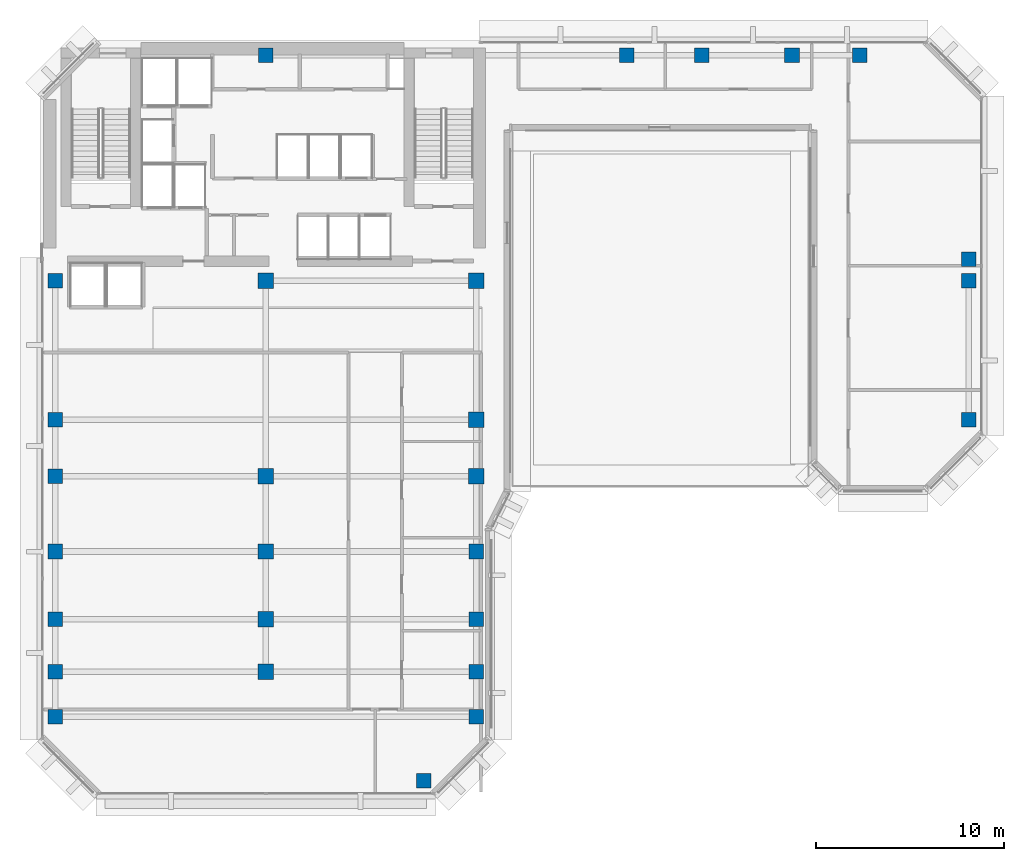
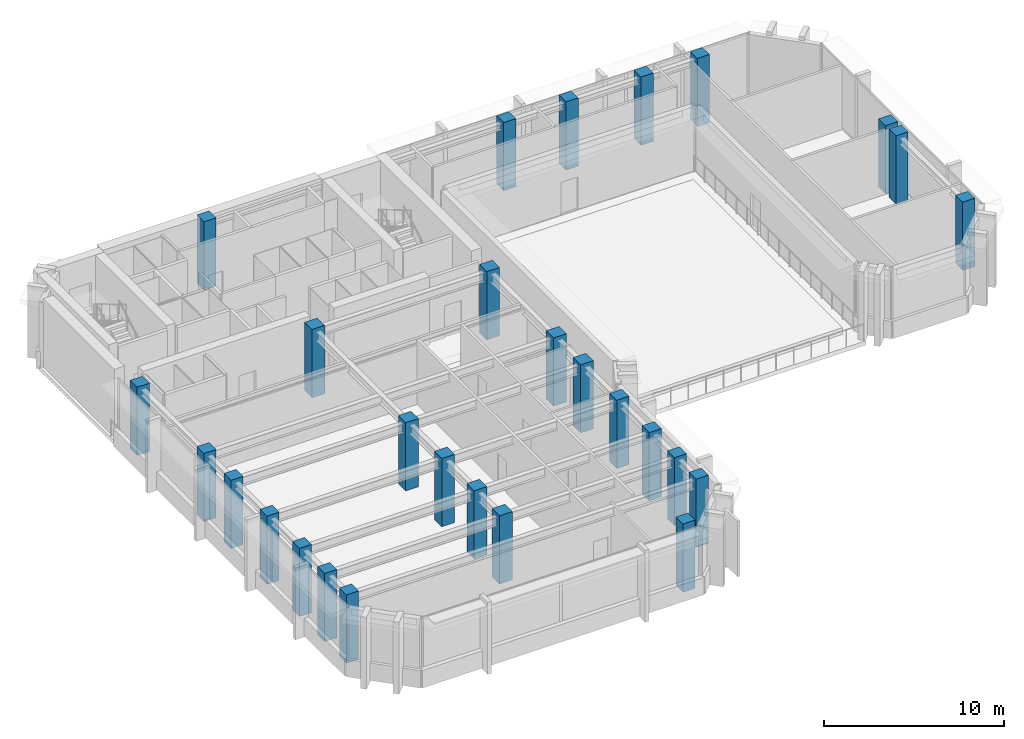
# One storey, part 1 of 12: 28 columns.
"""IFC4 building model written with IfcOpenShell, lengths in metres."""

import ifcopenshell
import ifcopenshell.guid

model = None  # the IFC model being written
_history = None  # IfcOwnerHistory: only IFC2X3 demands one
_inside = {}  # id of a spatial element -> (the spatial element, [elements in it])
_under = {}  # id of a project, library or spatial element -> (it, [spatial elements below it])
_declared = {}  # id of a project -> (the project, [libraries it declares])
_typed = {}  # id of a type object -> (the type object, [elements of that type])
_made_of = {}  # id of a material, layer set ... -> (it, [elements and type objects made of it])


def new_model(schema):
    """Start an empty IFC model of exactly this schema.

    Asked for "IFC4X3", IfcOpenShell would pick the latest addendum, in which some entities
    have other attributes; the version numbers below select the first issue.
    IFC2X3 requires an IfcOwnerHistory on every rooted entity: one is made here for all.
    """
    global model, _history
    if schema == "IFC4X3":
        model = ifcopenshell.file(schema_version=(4, 3, 0, 0))
    else:
        model = ifcopenshell.file(schema=schema)
    _inside.clear()
    _under.clear()
    _declared.clear()
    _typed.clear()
    _made_of.clear()
    _history = None
    if model.schema == "IFC2X3":
        org = make("IfcOrganization", Name="unknown")
        user = make(
            "IfcPersonAndOrganization",
            ThePerson=make("IfcPerson", FamilyName="unknown"),
            TheOrganization=org,
        )
        app = make(
            "IfcApplication",
            ApplicationDeveloper=org,
            Version="unknown",
            ApplicationFullName="unknown",
            ApplicationIdentifier="unknown",
        )
        _history = make(
            "IfcOwnerHistory",
            OwningUser=user,
            OwningApplication=app,
            ChangeAction="ADDED",
            CreationDate=0,
        )
    return model


def make(cls, **values):
    """One entity of the class cls with the attributes given. An attribute that is None is left unset."""
    return model.create_entity(
        cls, **{name: value for name, value in values.items() if value is not None}
    )


def rooted(cls, **values):
    """An entity with a GlobalId (a new one), such as an element, a storey or a relation."""
    return make(cls, GlobalId=ifcopenshell.guid.new(), OwnerHistory=_history, **values)


def si_unit(unit_type, name, prefix=None):
    """IfcSIUnit, for example si_unit("LENGTHUNIT", "METRE", prefix="MILLI")."""
    return make("IfcSIUnit", UnitType=unit_type, Prefix=prefix, Name=name)


def assignment(units):
    """IfcUnitAssignment: the units of a project."""
    return None if units is None else make("IfcUnitAssignment", Units=units)


def point(xyz):
    """IfcCartesianPoint."""
    return None if xyz is None else make("IfcCartesianPoint", Coordinates=xyz)


def direction(xyz):
    """IfcDirection."""
    return None if xyz is None else make("IfcDirection", DirectionRatios=xyz)


def frame(location, z_axis=None, x_axis=None):
    """IfcAxis2Placement3D, a coordinate frame: its origin and axes. An axis left out is left unset."""
    return make(
        "IfcAxis2Placement3D",
        Location=point(location),
        Axis=direction(z_axis),
        RefDirection=direction(x_axis),
    )


def frame_2d(location, x_axis=None):
    """IfcAxis2Placement2D, a coordinate frame in the plane: its origin and x axis."""
    return make(
        "IfcAxis2Placement2D", Location=point(location), RefDirection=direction(x_axis)
    )


def origin():
    """The frame at (0, 0, 0) with its axes left unset."""
    return frame((0.0, 0.0, 0.0))


def origin_2d():
    """The frame at (0, 0) in the plane with its x axis left unset."""
    return frame_2d((0.0, 0.0))


def place(relative_to, where):
    """IfcLocalPlacement: puts the frame where relative to a parent placement (None: the world)."""
    return make(
        "IfcLocalPlacement", PlacementRelTo=relative_to, RelativePlacement=where
    )


def context(
    kind, dimensions, precision=None, world=None, true_north=None, identifier=None
):
    """IfcGeometricRepresentationContext, for example the 3D "Model" context."""
    return make(
        "IfcGeometricRepresentationContext",
        ContextIdentifier=identifier,
        ContextType=kind,
        CoordinateSpaceDimension=dimensions,
        Precision=precision,
        WorldCoordinateSystem=world,
        TrueNorth=true_north,
    )


def subcontext(parent, identifier, kind, view, scale=None):
    """IfcGeometricRepresentationSubContext, for example "Body" below "Model"."""
    return make(
        "IfcGeometricRepresentationSubContext",
        ContextIdentifier=identifier,
        ContextType=kind,
        ParentContext=parent,
        TargetScale=scale,
        TargetView=view,
    )


def project(units=None, contexts=None):
    """IfcProject with its units and contexts."""
    return rooted(
        "IfcProject",
        Name="project",
        RepresentationContexts=contexts,
        UnitsInContext=assignment(units),
    )


def spatial(cls, under=None, at=None, **own):
    """A site, building, storey or space (cls), placed at a placement, below another one or the project."""
    s = rooted(cls, ObjectPlacement=at, **own)
    if under is not None:
        _under.setdefault(under.id(), (under, []))[1].append(s)
    return s


def profile(cls, at=None, kind="AREA", **sizes):
    """A parametric profile (cls). Its sizes go by their IFC names, for example OverallWidth=200.0."""
    return make(cls, ProfileType=kind, Position=at, **sizes)


def rectangle(**sizes):
    """IfcRectangleProfileDef."""
    return profile("IfcRectangleProfileDef", **sizes)


def extrude(swept, where, along, depth):
    """IfcExtrudedAreaSolid: the profile swept, set in the frame where, extruded along a direction by depth."""
    return make(
        "IfcExtrudedAreaSolid",
        SweptArea=swept,
        Position=where,
        ExtrudedDirection=direction(along),
        Depth=depth,
    )


def shape(context_of_items, identifier, shape_type, items):
    """IfcShapeRepresentation: the items that make up one representation, for example the "Body"."""
    return make(
        "IfcShapeRepresentation",
        ContextOfItems=context_of_items,
        RepresentationIdentifier=identifier,
        RepresentationType=shape_type,
        Items=items,
    )


def material(Name=None, Category=None):
    """IfcMaterial."""
    return make("IfcMaterial", Name=Name, Category=Category)


def material_profile(
    of_material, cross_section, Name=None, Category=None, Priority=None
):
    """IfcMaterialProfile: a cross section and its material."""
    return make(
        "IfcMaterialProfile",
        Name=Name,
        Material=of_material,
        Profile=cross_section,
        Priority=Priority,
        Category=Category,
    )


def profile_set(profiles, Name=None, composite=None):
    """IfcMaterialProfileSet."""
    return make(
        "IfcMaterialProfileSet",
        Name=Name,
        MaterialProfiles=profiles,
        CompositeProfile=composite,
    )


def made_of(thing, what):
    """Note that an element or type object is made of a material, layer set ...; save() writes the relation."""
    if what is not None:
        _made_of.setdefault(what.id(), (what, []))[1].append(thing)
    return thing


def type_object(cls, material=None, **own):
    """A type object (cls), such as IfcWallType, which elements share."""
    return made_of(rooted(cls, **own), material)


def element(
    cls,
    number,
    at=None,
    inside=None,
    cuts=None,
    type_object=None,
    material=None,
    context=None,
    identifier="Body",
    shape_type=None,
    held_by="IfcProductDefinitionShape",
    body=None,
    shapes=None,
    **own,
):
    """One element of the class cls, such as IfcWall. Its Tag is "e" and its number.

    at: its placement. inside: the storey or other place that contains it. cuts: it is an
    opening in that element (IfcRelVoidsElement). A single representation is given by context,
    identifier, shape_type and body (its items); several are given by shapes. held_by: the class
    of the entity that holds the representations. save() writes the other relations.
    """
    e = rooted(cls, Tag="e%d" % number, ObjectPlacement=at, **own)
    if body is not None:
        shapes = [shape(context, identifier, shape_type, body)]
    if shapes is not None:
        e.Representation = make(held_by, Representations=shapes)
    if inside is not None:
        _inside.setdefault(inside.id(), (inside, []))[1].append(e)
    if cuts is not None:
        rooted(
            "IfcRelVoidsElement", RelatingBuildingElement=cuts, RelatedOpeningElement=e
        )
    if type_object is not None:
        _typed.setdefault(type_object.id(), (type_object, []))[1].append(e)
    return made_of(e, material)


def aggregate(whole, parts):
    """IfcRelAggregates: a whole, such as a stair, and the parts it consists of."""
    return rooted("IfcRelAggregates", RelatingObject=whole, RelatedObjects=parts)


def save(model, path):
    """Write the relations noted so far, then the file.

    IfcRelAggregates (storeys below a building ...), IfcRelContainedInSpatialStructure (elements
    in a storey), IfcRelDefinesByType, IfcRelAssociatesMaterial and IfcRelDeclares: one each for
    every whole, place, type object, material and project.
    """
    for whole, parts in _under.values():
        aggregate(whole, parts)
    for where, things in _inside.values():
        rooted(
            "IfcRelContainedInSpatialStructure",
            RelatedElements=things,
            RelatingStructure=where,
        )
    for kind, things in _typed.values():
        rooted("IfcRelDefinesByType", RelatedObjects=things, RelatingType=kind)
    for what, things in _made_of.values():
        rooted("IfcRelAssociatesMaterial", RelatedObjects=things, RelatingMaterial=what)
    for by, libraries in _declared.values():
        rooted("IfcRelDeclares", RelatingContext=by, RelatedDefinitions=libraries)
    model.write(path)


model = new_model("IFC4")

# Units and contexts
model_context = context("Model", 3, precision=1e-05, world=origin(), true_north=direction((0.0, 1.0)))
body_context = subcontext(model_context, "Body", "Model", "MODEL_VIEW")
ifc_project = project(units=[si_unit("LENGTHUNIT", "METRE"), si_unit("AREAUNIT", "SQUARE_METRE"), si_unit("VOLUMEUNIT", "CUBIC_METRE"), si_unit("PLANEANGLEUNIT", "RADIAN"), si_unit("MASSUNIT", "GRAM", prefix="KILO")], contexts=[model_context])

# Site, building, storey
site_placement = place(None, origin())
site = spatial("IfcSite", under=ifc_project, at=site_placement, CompositionType="ELEMENT")
building_placement = place(site_placement, origin())
building = spatial("IfcBuilding", under=site, at=building_placement, Name="Kefirva Bronze Tower", CompositionType="ELEMENT")
storey_placement = place(building_placement, frame((0.0, 0.0, 215.159912109375)))
storey = spatial("IfcBuildingStorey", under=building, at=storey_placement, Name="L52", CompositionType="ELEMENT", Elevation=215.159912109375)

# Columns
ifc_material = material(Name="Concrete C50/60", Category="concrete")
ifc_material_profile_1 = material_profile(ifc_material, rectangle(XDim=0.780029296875, YDim=0.780029296875, at=origin_2d()), Name="RC 780x780")
ifc_profile_set_1 = profile_set([ifc_material_profile_1], Name="Concrete C50/60")
column_type_1 = type_object("IfcColumnType", Name="RC Column 780x780 Ext", PredefinedType="COLUMN", material=ifc_profile_set_1)
for number, where, z_axis, x_axis, name in (
    (1, (0.800048828125, 10.0, 0.0), (0.0, 0.0, 1.0), (1.0, 0.0, 0.0), "L52 Column C008_100"),
    (2, (0.800048828125, 12.39990234375, 0.0), (0.0, 0.0, 1.0), (1.0, 0.0, 0.0), "L52 Column C008_124"),
    (3, (0.800048828125, 15.199951171875, 0.0), (0.0, 0.0, 1.0), (1.0, 0.0, 0.0), "L52 Column C008_152"),
    (4, (0.800048828125, 18.800048828125, 0.0), (0.0, 0.0, 1.0), (1.0, 0.0, 0.0), "L52 Column C008_188"),
    (5, (0.800048828125, 22.800048828125, 0.0), (0.0, 0.0, 1.0), (1.0, 0.0, 0.0), "L52 Column C008_228"),
    (6, (0.800048828125, 25.800048828125, 0.0), (0.0, 0.0, 1.0), (1.0, 0.0, 0.0), "L52 Column C008_258"),
    (7, (0.800048828125, 33.199951171875, 0.0), (0.0, 0.0, 1.0), (1.0, 0.0, 0.0), "L52 Column C008_332"),
    (8, (12.0, 45.199951171875, 0.0), (0.0, 0.0, 1.0), (1.0, 0.0, 0.0), "L52 Column C120_452"),
    (9, (20.39990234375, 6.60009765625, 0.0), (0.0, 0.0, 1.0), (1.0, 0.0, 0.0), "L52 Column C204_066"),
    (10, (23.199951171875, 10.0, 0.0), (0.0, 0.0, 1.0), (1.0, 0.0, 0.0), "L52 Column C232_100"),
    (11, (23.199951171875, 12.39990234375, 0.0), (0.0, 0.0, 1.0), (1.0, 0.0, 0.0), "L52 Column C232_124"),
    (12, (23.199951171875, 15.199951171875, 0.0), (0.0, 0.0, 1.0), (1.0, 0.0, 0.0), "L52 Column C232_152"),
    (13, (23.199951171875, 18.800048828125, 0.0), (0.0, 0.0, 1.0), (1.0, 0.0, 0.0), "L52 Column C232_188"),
    (14, (31.199951171875, 45.199951171875, 0.0), (0.0, 0.0, 1.0), (1.0, 0.0, 0.0), "L52 Column C312_452"),
    (15, (35.199951171875, 45.199951171875, 0.0), (0.0, 0.0, 1.0), (1.0, 0.0, 0.0), "L52 Column C352_452"),
    (16, (40.0, 45.199951171875, 0.0), (0.0, 0.0, 1.0), (1.0, 0.0, 0.0), "L52 Column C400_452"),
    (17, (43.60009765625, 45.199951171875, 0.0), (0.0, 0.0, 1.0), (1.0, 0.0, 0.0), "L52 Column C436_452"),
    (18, (49.39990234375, 25.800048828125, 0.0), (0.0, 0.0, 1.0), (1.0, 0.0, 0.0), "L52 Column C494_258"),
    (19, (49.39990234375, 33.199951171875, 0.0), (0.0, 0.0, 1.0), (1.0, 0.0, 0.0), "L52 Column C494_332"),
    (20, (49.39990234375, 34.35009765625, 0.0), (0.0, 0.0, 1.0), (1.0, 0.0, 0.0), "L52 Column C494_344"),
):
    element("IfcColumn", number, at=place(storey_placement, frame(where, z_axis=z_axis, x_axis=x_axis)), inside=storey, type_object=column_type_1, Name=name, PredefinedType="COLUMN", context=body_context, shape_type="SweptSolid", body=[
        extrude(rectangle(XDim=0.780029296875, YDim=0.780029296875, at=origin_2d()), origin(), (0.0, 0.0, 1.0), 4.6201171875),
    ])
ifc_material_profile_2 = material_profile(ifc_material, rectangle(XDim=0.820068359375, YDim=0.820068359375, at=origin_2d()), Name="RC 820x820")
ifc_profile_set_2 = profile_set([ifc_material_profile_2], Name="Concrete C50/60")
column_type_2 = type_object("IfcColumnType", Name="RC Column 820x820 Int", PredefinedType="COLUMN", material=ifc_profile_set_2)
for number, where, z_axis, x_axis, name in (
    (21, (12.0, 12.39990234375, 0.0), (0.0, 0.0, 1.0), (1.0, 0.0, 0.0), "L52 Column C120_124"),
    (22, (12.0, 15.199951171875, 0.0), (0.0, 0.0, 1.0), (1.0, 0.0, 0.0), "L52 Column C120_152"),
    (23, (12.0, 18.800048828125, 0.0), (0.0, 0.0, 1.0), (1.0, 0.0, 0.0), "L52 Column C120_188"),
    (24, (12.0, 22.800048828125, 0.0), (0.0, 0.0, 1.0), (1.0, 0.0, 0.0), "L52 Column C120_228"),
    (25, (12.0, 33.199951171875, 0.0), (0.0, 0.0, 1.0), (1.0, 0.0, 0.0), "L52 Column C120_332"),
    (26, (23.199951171875, 22.800048828125, 0.0), (0.0, 0.0, 1.0), (1.0, 0.0, 0.0), "L52 Column C232_228"),
    (27, (23.199951171875, 25.800048828125, 0.0), (0.0, 0.0, 1.0), (1.0, 0.0, 0.0), "L52 Column C232_258"),
    (28, (23.199951171875, 33.199951171875, 0.0), (0.0, 0.0, 1.0), (1.0, 0.0, 0.0), "L52 Column C232_332"),
):
    element("IfcColumn", number, at=place(storey_placement, frame(where, z_axis=z_axis, x_axis=x_axis)), inside=storey, type_object=column_type_2, Name=name, PredefinedType="COLUMN", context=body_context, shape_type="SweptSolid", body=[
        extrude(rectangle(XDim=0.820068359375, YDim=0.820068359375, at=origin_2d()), origin(), (0.0, 0.0, 1.0), 4.6201171875),
    ])

save(model, "model.ifc")
